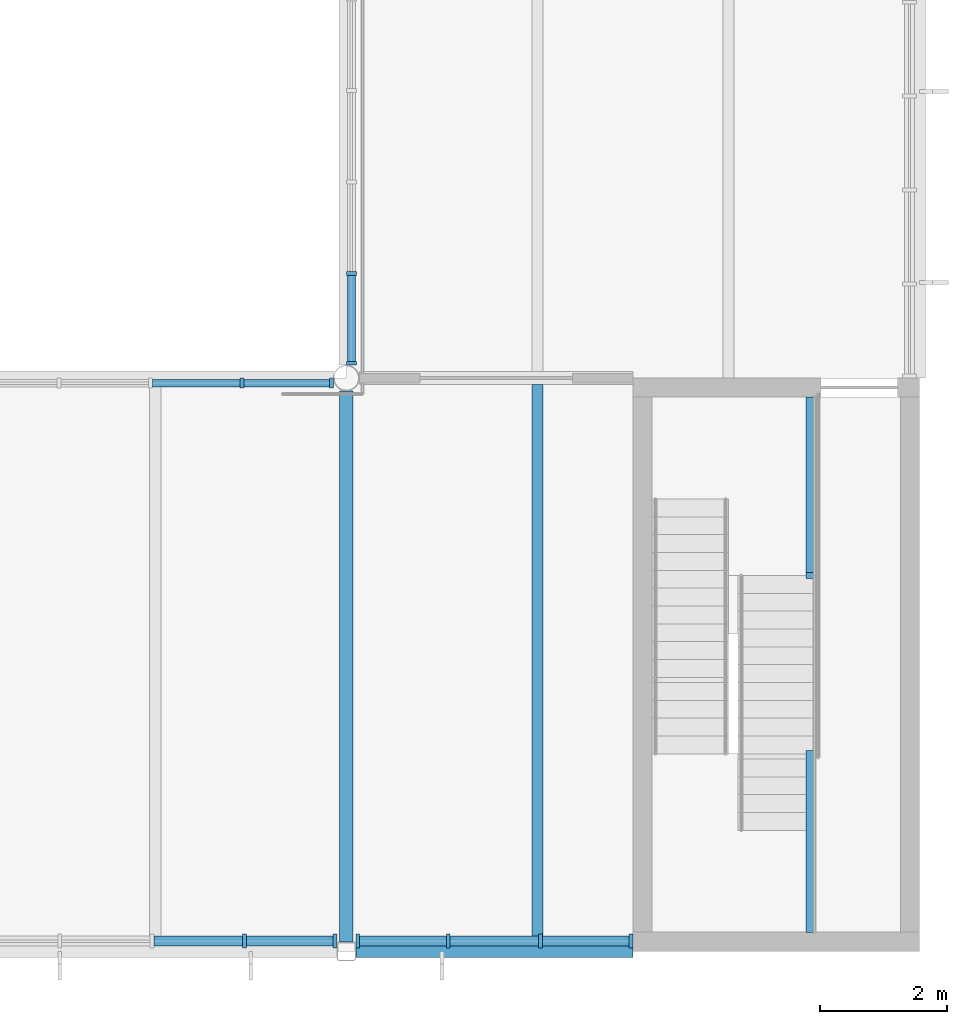
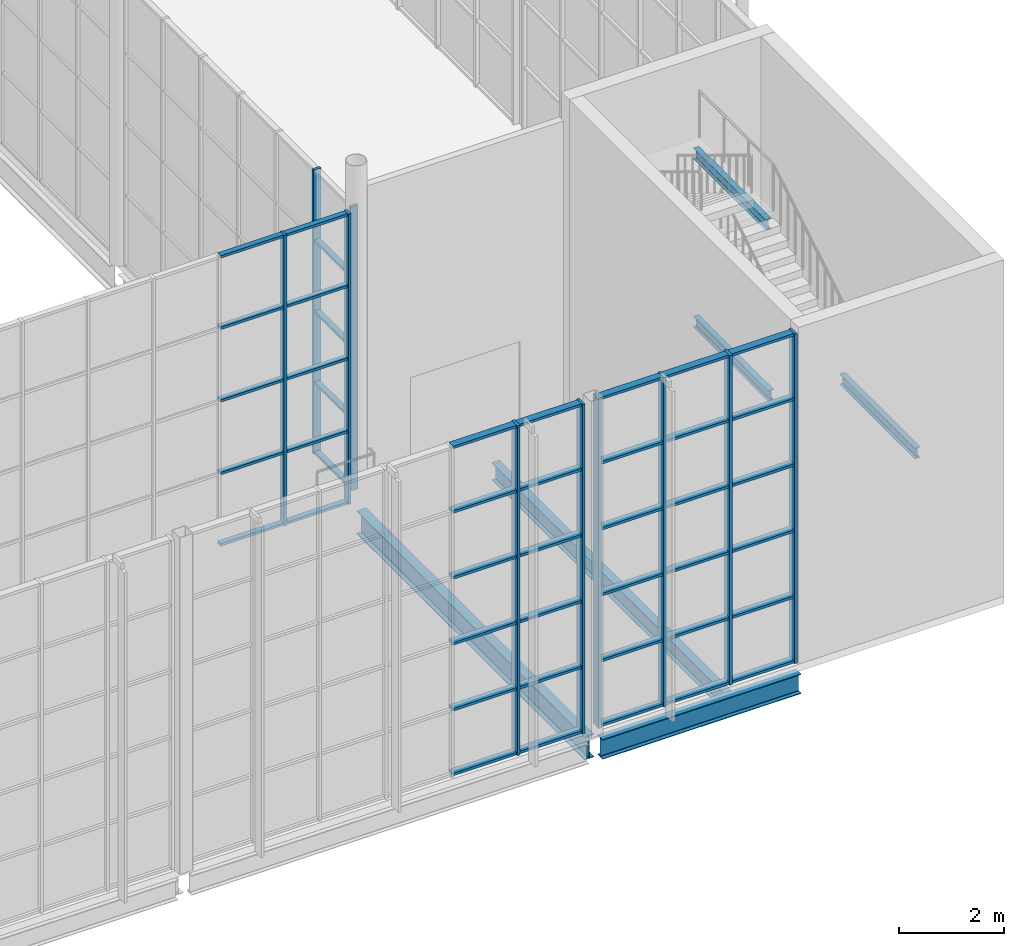
# One storey, part 55 of 90: 54 members, 6 beams, 4 elements without a shape of their own.
"""IFC4 building model written with IfcOpenShell, lengths in metres."""

from ifc_helpers import new_model, si_unit, direction, frame, origin, origin_2d, place, context, subcontext, project, spatial, rectangle, i_section, extrude, material, layer, layer_set, material_profile, profile_set, type_object, element, aggregate, save


model = new_model("IFC4")

# Units and contexts
model_context = context("Model", 3, precision=1e-05, world=origin(), true_north=direction((0.0, 1.0)))
body_context = subcontext(model_context, "Body", "Model", "MODEL_VIEW")
ifc_project = project(units=[si_unit("LENGTHUNIT", "METRE"), si_unit("AREAUNIT", "SQUARE_METRE"), si_unit("VOLUMEUNIT", "CUBIC_METRE"), si_unit("PLANEANGLEUNIT", "RADIAN"), si_unit("MASSUNIT", "GRAM", prefix="KILO")], contexts=[model_context])

# Site, building, storey
site_placement = place(None, origin())
site = spatial("IfcSite", under=ifc_project, at=site_placement, CompositionType="ELEMENT")
building_placement = place(site_placement, origin())
building = spatial("IfcBuilding", under=site, at=building_placement, Name="Halyard Row Museum", CompositionType="ELEMENT")
storey_placement = place(building_placement, frame((0.0, 0.0, 13.39990234375)))
storey = spatial("IfcBuildingStorey", under=building, at=storey_placement, Name="L03", CompositionType="ELEMENT", Elevation=13.39990234375)

# Curtain wall, members
ifc_material_1 = material(Name="Double glazed unit, low-emissivity", Category="glass")
ifc_layer_1 = layer(ifc_material_1, 0.219970703125)
ifc_layer_set_1 = layer_set([ifc_layer_1], Name="Double glazed unit, low-emissivity")
curtain_wall_type_1 = type_object("IfcCurtainWallType", Name="Curtain wall unitised 220 deep", PredefinedType="NOTDEFINED", material=ifc_layer_set_1)
curtain_wall_1_placement = place(storey_placement, origin())
curtain_wall_1 = element("IfcCurtainWall", 1, at=curtain_wall_1_placement, inside=storey, type_object=curtain_wall_type_1, Name="Curtain wall CW046", PredefinedType="NOTDEFINED")
ifc_material_2 = material(Name="Powder-coated aluminium section", Category="aluminium")
ifc_material_profile_1 = material_profile(ifc_material_2, rectangle(XDim=0.219970703125, YDim=0.06005859375, at=origin_2d()), Name="220x60 mullion")
ifc_profile_set_1 = profile_set([ifc_material_profile_1], Name="Powder-coated aluminium section")
member_type_1 = type_object("IfcMemberType", Name="Curtain wall mullion CM3 60 x 220", PredefinedType="MULLION", material=ifc_profile_set_1)
member_1_placement = place(storey_placement, frame((97.39990234375, 0.159912109375, 0.0), z_axis=(0.0, 0.0, 1.0), x_axis=(0.0, 1.0, 0.0)))
member_1 = element("IfcMember", 2, at=member_1_placement, type_object=member_type_1, Name="CW046 mullion 6", PredefinedType="MULLION", context=body_context, shape_type="SweptSolid", body=[
    extrude(rectangle(XDim=0.219970703125, YDim=0.06005859375, at=origin_2d()), origin(), (0.0, 0.0, 1.0), 7.635009765625),
])
member_2_placement = place(storey_placement, frame((98.820068359375, 0.159912109375, 0.0), z_axis=(0.0, 0.0, 1.0), x_axis=(0.0, 1.0, 0.0)))
member_2 = element("IfcMember", 3, at=member_2_placement, type_object=member_type_1, Name="CW046 mullion 7", PredefinedType="MULLION", context=body_context, shape_type="SweptSolid", body=[
    extrude(rectangle(XDim=0.219970703125, YDim=0.06005859375, at=origin_2d()), origin(), (0.0, 0.0, 1.0), 7.635009765625),
])

curtain_wall_2_placement = place(storey_placement, origin())
curtain_wall_2 = element("IfcCurtainWall", 4, at=curtain_wall_2_placement, inside=storey, type_object=curtain_wall_type_1, Name="Curtain wall CW047", PredefinedType="NOTDEFINED")
member_3_placement = place(storey_placement, frame((99.179931640625, 0.159912109375, 0.0), z_axis=(0.0, 0.0, 1.0), x_axis=(0.0, 1.0, 0.0)))
member_3 = element("IfcMember", 5, at=member_3_placement, type_object=member_type_1, Name="CW047 mullion 1", PredefinedType="MULLION", context=body_context, shape_type="SweptSolid", body=[
    extrude(rectangle(XDim=0.219970703125, YDim=0.06005859375, at=origin_2d()), origin(), (0.0, 0.0, 1.0), 7.635009765625),
])
member_4_placement = place(storey_placement, frame((100.60009765625, 0.159912109375, 0.0), z_axis=(0.0, 0.0, 1.0), x_axis=(0.0, 1.0, 0.0)))
member_4 = element("IfcMember", 6, at=member_4_placement, type_object=member_type_1, Name="CW047 mullion 2", PredefinedType="MULLION", context=body_context, shape_type="SweptSolid", body=[
    extrude(rectangle(XDim=0.219970703125, YDim=0.06005859375, at=origin_2d()), origin(), (0.0, 0.0, 1.0), 7.635009765625),
])
member_5_placement = place(storey_placement, frame((102.050048828125, 0.159912109375, 0.0), z_axis=(0.0, 0.0, 1.0), x_axis=(0.0, 1.0, 0.0)))
member_5 = element("IfcMember", 7, at=member_5_placement, type_object=member_type_1, Name="CW047 mullion 3", PredefinedType="MULLION", context=body_context, shape_type="SweptSolid", body=[
    extrude(rectangle(XDim=0.219970703125, YDim=0.06005859375, at=origin_2d()), origin(), (0.0, 0.0, 1.0), 7.635009765625),
])
member_6_placement = place(storey_placement, frame((103.469970703125, 0.159912109375, 0.0), z_axis=(0.0, 0.0, 1.0), x_axis=(0.0, 1.0, 0.0)))
member_6 = element("IfcMember", 8, at=member_6_placement, type_object=member_type_1, Name="CW047 mullion 4", PredefinedType="MULLION", context=body_context, shape_type="SweptSolid", body=[
    extrude(rectangle(XDim=0.219970703125, YDim=0.06005859375, at=origin_2d()), origin(), (0.0, 0.0, 1.0), 7.635009765625),
])

ifc_material_3 = material(Name="Fire-resisting laminated glazing", Category="glass")
ifc_layer_2 = layer(ifc_material_3, 0.159912109375)
ifc_layer_set_2 = layer_set([ifc_layer_2], Name="Fire-resisting laminated glazing")
curtain_wall_type_2 = type_object("IfcCurtainWallType", Name="Curtain wall atrium screen 160 deep", PredefinedType="NOTDEFINED", material=ifc_layer_set_2)
curtain_wall_3_placement = place(storey_placement, origin())
curtain_wall_3 = element("IfcCurtainWall", 9, at=curtain_wall_3_placement, inside=storey, type_object=curtain_wall_type_2, Name="Curtain wall CW095", PredefinedType="NOTDEFINED")
ifc_material_4 = material(Name="Powder-coated aluminium section", Category="aluminium")
ifc_material_profile_2 = material_profile(ifc_material_4, rectangle(XDim=0.159912109375, YDim=0.06005859375, at=origin_2d()), Name="160x60 mullion")
ifc_profile_set_2 = profile_set([ifc_material_profile_2], Name="Powder-coated aluminium section")
member_type_2 = type_object("IfcMemberType", Name="Curtain wall mullion CM5 60 x 160", PredefinedType="MULLION", material=ifc_profile_set_2)
member_7_placement = place(storey_placement, frame((97.3603515625, 8.919921875, 0.0), z_axis=(0.0, 0.0, 1.0), x_axis=(0.0, 1.0, 0.0)))
member_7 = element("IfcMember", 10, at=member_7_placement, type_object=member_type_2, Name="CW095 mullion 6", PredefinedType="MULLION", context=body_context, shape_type="SweptSolid", body=[
    extrude(rectangle(XDim=0.159912109375, YDim=0.06005859375, at=origin_2d()), origin(), (0.0, 0.0, 1.0), 6.732177734375),
])
member_8_placement = place(storey_placement, frame((98.766845703125, 8.919921875, 0.0), z_axis=(0.0, 0.0, 1.0), x_axis=(0.0, 1.0, 0.0)))
member_8 = element("IfcMember", 11, at=member_8_placement, type_object=member_type_2, Name="CW095 mullion 7", PredefinedType="MULLION", context=body_context, shape_type="SweptSolid", body=[
    extrude(rectangle(XDim=0.159912109375, YDim=0.06005859375, at=origin_2d()), origin(), (0.0, 0.0, 1.0), 6.732177734375),
])

curtain_wall_4_placement = place(storey_placement, origin())
curtain_wall_4 = element("IfcCurtainWall", 12, at=curtain_wall_4_placement, inside=storey, type_object=curtain_wall_type_2, Name="Curtain wall CW096", PredefinedType="NOTDEFINED")
member_9_placement = place(storey_placement, frame((99.080078125, 9.233154296875, 0.0), z_axis=(0.0, 0.0, 1.0), x_axis=(-1.0, 0.0, 0.0)))
member_9 = element("IfcMember", 13, at=member_9_placement, type_object=member_type_2, Name="CW096 mullion 1", PredefinedType="MULLION", context=body_context, shape_type="SweptSolid", body=[
    extrude(rectangle(XDim=0.159912109375, YDim=0.06005859375, at=origin_2d()), origin(), (0.0, 0.0, 1.0), 6.585205078125),
])
member_10_placement = place(storey_placement, frame((99.080078125, 10.6396484375, 0.0), z_axis=(0.0, 0.0, 1.0), x_axis=(-1.0, 0.0, 0.0)))
member_10 = element("IfcMember", 14, at=member_10_placement, type_object=member_type_2, Name="CW096 mullion 2", PredefinedType="MULLION", context=body_context, shape_type="SweptSolid", body=[
    extrude(rectangle(XDim=0.159912109375, YDim=0.06005859375, at=origin_2d()), origin(), (0.0, 0.0, 1.0), 6.585205078125),
])

# Member
ifc_material_5 = material(Name="Powder-coated aluminium section", Category="aluminium")
ifc_material_profile_3 = material_profile(ifc_material_5, rectangle(XDim=0.159912109375, YDim=0.06005859375, at=origin_2d()), Name="160x60 transom")
ifc_profile_set_3 = profile_set([ifc_material_profile_3], Name="Powder-coated aluminium section")
member_type_3 = type_object("IfcMemberType", Name="Curtain wall transom CT3 60 x 160", PredefinedType="USERDEFINED", material=ifc_profile_set_3)
member_11_placement = place(storey_placement, frame((95.97998046875, 0.159912109375, 0.030029296875), z_axis=(1.0, 0.0, 0.0), x_axis=(0.0, 1.0, 0.0)))
member_11 = element("IfcMember", 15, at=member_11_placement, type_object=member_type_3, Name="CW046 transom 5.1", ObjectType="TRANSOM", PredefinedType="USERDEFINED", context=body_context, shape_type="SweptSolid", body=[
    extrude(rectangle(XDim=0.159912109375, YDim=0.06005859375, at=origin_2d()), origin(), (0.0, 0.0, 1.0), 1.39013671875),
])

member_12_placement = place(storey_placement, frame((95.97998046875, 0.159912109375, 1.527099609375), z_axis=(1.0, 0.0, 0.0), x_axis=(0.0, 1.0, 0.0)))
member_12 = element("IfcMember", 16, at=member_12_placement, type_object=member_type_3, Name="CW046 transom 5.2", ObjectType="TRANSOM", PredefinedType="USERDEFINED", context=body_context, shape_type="SweptSolid", body=[
    extrude(rectangle(XDim=0.159912109375, YDim=0.06005859375, at=origin_2d()), origin(), (0.0, 0.0, 1.0), 1.39013671875),
])

member_13_placement = place(storey_placement, frame((95.97998046875, 0.159912109375, 3.05419921875), z_axis=(1.0, 0.0, 0.0), x_axis=(0.0, 1.0, 0.0)))
member_13 = element("IfcMember", 17, at=member_13_placement, type_object=member_type_3, Name="CW046 transom 5.3", ObjectType="TRANSOM", PredefinedType="USERDEFINED", context=body_context, shape_type="SweptSolid", body=[
    extrude(rectangle(XDim=0.159912109375, YDim=0.06005859375, at=origin_2d()), origin(), (0.0, 0.0, 1.0), 1.39013671875),
])

member_14_placement = place(storey_placement, frame((95.97998046875, 0.159912109375, 4.5810546875), z_axis=(1.0, 0.0, 0.0), x_axis=(0.0, 1.0, 0.0)))
member_14 = element("IfcMember", 18, at=member_14_placement, type_object=member_type_3, Name="CW046 transom 5.4", ObjectType="TRANSOM", PredefinedType="USERDEFINED", context=body_context, shape_type="SweptSolid", body=[
    extrude(rectangle(XDim=0.159912109375, YDim=0.06005859375, at=origin_2d()), origin(), (0.0, 0.0, 1.0), 1.39013671875),
])

member_15_placement = place(storey_placement, frame((95.97998046875, 0.159912109375, 6.108154296875), z_axis=(1.0, 0.0, 0.0), x_axis=(0.0, 1.0, 0.0)))
member_15 = element("IfcMember", 19, at=member_15_placement, type_object=member_type_3, Name="CW046 transom 5.5", ObjectType="TRANSOM", PredefinedType="USERDEFINED", context=body_context, shape_type="SweptSolid", body=[
    extrude(rectangle(XDim=0.159912109375, YDim=0.06005859375, at=origin_2d()), origin(), (0.0, 0.0, 1.0), 1.39013671875),
])

member_16_placement = place(storey_placement, frame((95.97998046875, 0.159912109375, 7.60498046875), z_axis=(1.0, 0.0, 0.0), x_axis=(0.0, 1.0, 0.0)))
member_16 = element("IfcMember", 20, at=member_16_placement, type_object=member_type_3, Name="CW046 transom 5.6", ObjectType="TRANSOM", PredefinedType="USERDEFINED", context=body_context, shape_type="SweptSolid", body=[
    extrude(rectangle(XDim=0.159912109375, YDim=0.06005859375, at=origin_2d()), origin(), (0.0, 0.0, 1.0), 1.39013671875),
])

member_17_placement = place(storey_placement, frame((97.429931640625, 0.159912109375, 0.030029296875), z_axis=(1.0, 0.0, 0.0), x_axis=(0.0, 1.0, 0.0)))
member_17 = element("IfcMember", 21, at=member_17_placement, type_object=member_type_3, Name="CW046 transom 6.1", ObjectType="TRANSOM", PredefinedType="USERDEFINED", context=body_context, shape_type="SweptSolid", body=[
    extrude(rectangle(XDim=0.159912109375, YDim=0.06005859375, at=origin_2d()), origin(), (0.0, 0.0, 1.0), 1.360107421875),
])

member_18_placement = place(storey_placement, frame((97.429931640625, 0.159912109375, 1.527099609375), z_axis=(1.0, 0.0, 0.0), x_axis=(0.0, 1.0, 0.0)))
member_18 = element("IfcMember", 22, at=member_18_placement, type_object=member_type_3, Name="CW046 transom 6.2", ObjectType="TRANSOM", PredefinedType="USERDEFINED", context=body_context, shape_type="SweptSolid", body=[
    extrude(rectangle(XDim=0.159912109375, YDim=0.06005859375, at=origin_2d()), origin(), (0.0, 0.0, 1.0), 1.360107421875),
])

member_19_placement = place(storey_placement, frame((97.429931640625, 0.159912109375, 3.05419921875), z_axis=(1.0, 0.0, 0.0), x_axis=(0.0, 1.0, 0.0)))
member_19 = element("IfcMember", 23, at=member_19_placement, type_object=member_type_3, Name="CW046 transom 6.3", ObjectType="TRANSOM", PredefinedType="USERDEFINED", context=body_context, shape_type="SweptSolid", body=[
    extrude(rectangle(XDim=0.159912109375, YDim=0.06005859375, at=origin_2d()), origin(), (0.0, 0.0, 1.0), 1.360107421875),
])

member_20_placement = place(storey_placement, frame((97.429931640625, 0.159912109375, 4.5810546875), z_axis=(1.0, 0.0, 0.0), x_axis=(0.0, 1.0, 0.0)))
member_20 = element("IfcMember", 24, at=member_20_placement, type_object=member_type_3, Name="CW046 transom 6.4", ObjectType="TRANSOM", PredefinedType="USERDEFINED", context=body_context, shape_type="SweptSolid", body=[
    extrude(rectangle(XDim=0.159912109375, YDim=0.06005859375, at=origin_2d()), origin(), (0.0, 0.0, 1.0), 1.360107421875),
])

member_21_placement = place(storey_placement, frame((97.429931640625, 0.159912109375, 6.108154296875), z_axis=(1.0, 0.0, 0.0), x_axis=(0.0, 1.0, 0.0)))
member_21 = element("IfcMember", 25, at=member_21_placement, type_object=member_type_3, Name="CW046 transom 6.5", ObjectType="TRANSOM", PredefinedType="USERDEFINED", context=body_context, shape_type="SweptSolid", body=[
    extrude(rectangle(XDim=0.159912109375, YDim=0.06005859375, at=origin_2d()), origin(), (0.0, 0.0, 1.0), 1.360107421875),
])

member_22_placement = place(storey_placement, frame((97.429931640625, 0.159912109375, 7.60498046875), z_axis=(1.0, 0.0, 0.0), x_axis=(0.0, 1.0, 0.0)))
member_22 = element("IfcMember", 26, at=member_22_placement, type_object=member_type_3, Name="CW046 transom 6.6", ObjectType="TRANSOM", PredefinedType="USERDEFINED", context=body_context, shape_type="SweptSolid", body=[
    extrude(rectangle(XDim=0.159912109375, YDim=0.06005859375, at=origin_2d()), origin(), (0.0, 0.0, 1.0), 1.360107421875),
])

aggregate(curtain_wall_1, [member_1, member_2, member_11, member_12, member_13, member_14, member_15, member_16, member_17, member_18, member_19, member_20, member_21, member_22])

member_23_placement = place(storey_placement, frame((99.2099609375, 0.159912109375, 0.030029296875), z_axis=(1.0, 0.0, 0.0), x_axis=(0.0, 1.0, 0.0)))
member_23 = element("IfcMember", 27, at=member_23_placement, type_object=member_type_3, Name="CW047 transom 1.1", ObjectType="TRANSOM", PredefinedType="USERDEFINED", context=body_context, shape_type="SweptSolid", body=[
    extrude(rectangle(XDim=0.159912109375, YDim=0.06005859375, at=origin_2d()), origin(), (0.0, 0.0, 1.0), 1.360107421875),
])

member_24_placement = place(storey_placement, frame((99.2099609375, 0.159912109375, 1.527099609375), z_axis=(1.0, 0.0, 0.0), x_axis=(0.0, 1.0, 0.0)))
member_24 = element("IfcMember", 28, at=member_24_placement, type_object=member_type_3, Name="CW047 transom 1.2", ObjectType="TRANSOM", PredefinedType="USERDEFINED", context=body_context, shape_type="SweptSolid", body=[
    extrude(rectangle(XDim=0.159912109375, YDim=0.06005859375, at=origin_2d()), origin(), (0.0, 0.0, 1.0), 1.360107421875),
])

member_25_placement = place(storey_placement, frame((99.2099609375, 0.159912109375, 3.05419921875), z_axis=(1.0, 0.0, 0.0), x_axis=(0.0, 1.0, 0.0)))
member_25 = element("IfcMember", 29, at=member_25_placement, type_object=member_type_3, Name="CW047 transom 1.3", ObjectType="TRANSOM", PredefinedType="USERDEFINED", context=body_context, shape_type="SweptSolid", body=[
    extrude(rectangle(XDim=0.159912109375, YDim=0.06005859375, at=origin_2d()), origin(), (0.0, 0.0, 1.0), 1.360107421875),
])

member_26_placement = place(storey_placement, frame((99.2099609375, 0.159912109375, 4.5810546875), z_axis=(1.0, 0.0, 0.0), x_axis=(0.0, 1.0, 0.0)))
member_26 = element("IfcMember", 30, at=member_26_placement, type_object=member_type_3, Name="CW047 transom 1.4", ObjectType="TRANSOM", PredefinedType="USERDEFINED", context=body_context, shape_type="SweptSolid", body=[
    extrude(rectangle(XDim=0.159912109375, YDim=0.06005859375, at=origin_2d()), origin(), (0.0, 0.0, 1.0), 1.360107421875),
])

member_27_placement = place(storey_placement, frame((99.2099609375, 0.159912109375, 6.108154296875), z_axis=(1.0, 0.0, 0.0), x_axis=(0.0, 1.0, 0.0)))
member_27 = element("IfcMember", 31, at=member_27_placement, type_object=member_type_3, Name="CW047 transom 1.5", ObjectType="TRANSOM", PredefinedType="USERDEFINED", context=body_context, shape_type="SweptSolid", body=[
    extrude(rectangle(XDim=0.159912109375, YDim=0.06005859375, at=origin_2d()), origin(), (0.0, 0.0, 1.0), 1.360107421875),
])

member_28_placement = place(storey_placement, frame((99.2099609375, 0.159912109375, 7.60498046875), z_axis=(1.0, 0.0, 0.0), x_axis=(0.0, 1.0, 0.0)))
member_28 = element("IfcMember", 32, at=member_28_placement, type_object=member_type_3, Name="CW047 transom 1.6", ObjectType="TRANSOM", PredefinedType="USERDEFINED", context=body_context, shape_type="SweptSolid", body=[
    extrude(rectangle(XDim=0.159912109375, YDim=0.06005859375, at=origin_2d()), origin(), (0.0, 0.0, 1.0), 1.360107421875),
])

member_29_placement = place(storey_placement, frame((100.6298828125, 0.159912109375, 0.030029296875), z_axis=(1.0, 0.0, 0.0), x_axis=(0.0, 1.0, 0.0)))
member_29 = element("IfcMember", 33, at=member_29_placement, type_object=member_type_3, Name="CW047 transom 2.1", ObjectType="TRANSOM", PredefinedType="USERDEFINED", context=body_context, shape_type="SweptSolid", body=[
    extrude(rectangle(XDim=0.159912109375, YDim=0.06005859375, at=origin_2d()), origin(), (0.0, 0.0, 1.0), 1.39013671875),
])

member_30_placement = place(storey_placement, frame((100.6298828125, 0.159912109375, 1.527099609375), z_axis=(1.0, 0.0, 0.0), x_axis=(0.0, 1.0, 0.0)))
member_30 = element("IfcMember", 34, at=member_30_placement, type_object=member_type_3, Name="CW047 transom 2.2", ObjectType="TRANSOM", PredefinedType="USERDEFINED", context=body_context, shape_type="SweptSolid", body=[
    extrude(rectangle(XDim=0.159912109375, YDim=0.06005859375, at=origin_2d()), origin(), (0.0, 0.0, 1.0), 1.39013671875),
])

member_31_placement = place(storey_placement, frame((100.6298828125, 0.159912109375, 3.05419921875), z_axis=(1.0, 0.0, 0.0), x_axis=(0.0, 1.0, 0.0)))
member_31 = element("IfcMember", 35, at=member_31_placement, type_object=member_type_3, Name="CW047 transom 2.3", ObjectType="TRANSOM", PredefinedType="USERDEFINED", context=body_context, shape_type="SweptSolid", body=[
    extrude(rectangle(XDim=0.159912109375, YDim=0.06005859375, at=origin_2d()), origin(), (0.0, 0.0, 1.0), 1.39013671875),
])

member_32_placement = place(storey_placement, frame((100.6298828125, 0.159912109375, 4.5810546875), z_axis=(1.0, 0.0, 0.0), x_axis=(0.0, 1.0, 0.0)))
member_32 = element("IfcMember", 36, at=member_32_placement, type_object=member_type_3, Name="CW047 transom 2.4", ObjectType="TRANSOM", PredefinedType="USERDEFINED", context=body_context, shape_type="SweptSolid", body=[
    extrude(rectangle(XDim=0.159912109375, YDim=0.06005859375, at=origin_2d()), origin(), (0.0, 0.0, 1.0), 1.39013671875),
])

member_33_placement = place(storey_placement, frame((100.6298828125, 0.159912109375, 6.108154296875), z_axis=(1.0, 0.0, 0.0), x_axis=(0.0, 1.0, 0.0)))
member_33 = element("IfcMember", 37, at=member_33_placement, type_object=member_type_3, Name="CW047 transom 2.5", ObjectType="TRANSOM", PredefinedType="USERDEFINED", context=body_context, shape_type="SweptSolid", body=[
    extrude(rectangle(XDim=0.159912109375, YDim=0.06005859375, at=origin_2d()), origin(), (0.0, 0.0, 1.0), 1.39013671875),
])

member_34_placement = place(storey_placement, frame((100.6298828125, 0.159912109375, 7.60498046875), z_axis=(1.0, 0.0, 0.0), x_axis=(0.0, 1.0, 0.0)))
member_34 = element("IfcMember", 38, at=member_34_placement, type_object=member_type_3, Name="CW047 transom 2.6", ObjectType="TRANSOM", PredefinedType="USERDEFINED", context=body_context, shape_type="SweptSolid", body=[
    extrude(rectangle(XDim=0.159912109375, YDim=0.06005859375, at=origin_2d()), origin(), (0.0, 0.0, 1.0), 1.39013671875),
])

member_35_placement = place(storey_placement, frame((102.080078125, 0.159912109375, 0.030029296875), z_axis=(1.0, 0.0, 0.0), x_axis=(0.0, 1.0, 0.0)))
member_35 = element("IfcMember", 39, at=member_35_placement, type_object=member_type_3, Name="CW047 transom 3.1", ObjectType="TRANSOM", PredefinedType="USERDEFINED", context=body_context, shape_type="SweptSolid", body=[
    extrude(rectangle(XDim=0.159912109375, YDim=0.06005859375, at=origin_2d()), origin(), (0.0, 0.0, 1.0), 1.35986328125),
])

member_36_placement = place(storey_placement, frame((102.080078125, 0.159912109375, 1.527099609375), z_axis=(1.0, 0.0, 0.0), x_axis=(0.0, 1.0, 0.0)))
member_36 = element("IfcMember", 40, at=member_36_placement, type_object=member_type_3, Name="CW047 transom 3.2", ObjectType="TRANSOM", PredefinedType="USERDEFINED", context=body_context, shape_type="SweptSolid", body=[
    extrude(rectangle(XDim=0.159912109375, YDim=0.06005859375, at=origin_2d()), origin(), (0.0, 0.0, 1.0), 1.35986328125),
])

member_37_placement = place(storey_placement, frame((102.080078125, 0.159912109375, 3.05419921875), z_axis=(1.0, 0.0, 0.0), x_axis=(0.0, 1.0, 0.0)))
member_37 = element("IfcMember", 41, at=member_37_placement, type_object=member_type_3, Name="CW047 transom 3.3", ObjectType="TRANSOM", PredefinedType="USERDEFINED", context=body_context, shape_type="SweptSolid", body=[
    extrude(rectangle(XDim=0.159912109375, YDim=0.06005859375, at=origin_2d()), origin(), (0.0, 0.0, 1.0), 1.35986328125),
])

member_38_placement = place(storey_placement, frame((102.080078125, 0.159912109375, 4.5810546875), z_axis=(1.0, 0.0, 0.0), x_axis=(0.0, 1.0, 0.0)))
member_38 = element("IfcMember", 42, at=member_38_placement, type_object=member_type_3, Name="CW047 transom 3.4", ObjectType="TRANSOM", PredefinedType="USERDEFINED", context=body_context, shape_type="SweptSolid", body=[
    extrude(rectangle(XDim=0.159912109375, YDim=0.06005859375, at=origin_2d()), origin(), (0.0, 0.0, 1.0), 1.35986328125),
])

member_39_placement = place(storey_placement, frame((102.080078125, 0.159912109375, 6.108154296875), z_axis=(1.0, 0.0, 0.0), x_axis=(0.0, 1.0, 0.0)))
member_39 = element("IfcMember", 43, at=member_39_placement, type_object=member_type_3, Name="CW047 transom 3.5", ObjectType="TRANSOM", PredefinedType="USERDEFINED", context=body_context, shape_type="SweptSolid", body=[
    extrude(rectangle(XDim=0.159912109375, YDim=0.06005859375, at=origin_2d()), origin(), (0.0, 0.0, 1.0), 1.35986328125),
])

member_40_placement = place(storey_placement, frame((102.080078125, 0.159912109375, 7.60498046875), z_axis=(1.0, 0.0, 0.0), x_axis=(0.0, 1.0, 0.0)))
member_40 = element("IfcMember", 44, at=member_40_placement, type_object=member_type_3, Name="CW047 transom 3.6", ObjectType="TRANSOM", PredefinedType="USERDEFINED", context=body_context, shape_type="SweptSolid", body=[
    extrude(rectangle(XDim=0.159912109375, YDim=0.06005859375, at=origin_2d()), origin(), (0.0, 0.0, 1.0), 1.35986328125),
])

aggregate(curtain_wall_2, [member_3, member_4, member_5, member_6, member_23, member_24, member_25, member_26, member_27, member_28, member_29, member_30, member_31, member_32, member_33, member_34, member_35, member_36, member_37, member_38, member_39, member_40])

ifc_material_6 = material(Name="Powder-coated aluminium section", Category="aluminium")
ifc_material_profile_4 = material_profile(ifc_material_6, rectangle(XDim=0.1201171875, YDim=0.06005859375, at=origin_2d()), Name="120x60 transom")
ifc_profile_set_4 = profile_set([ifc_material_profile_4], Name="Powder-coated aluminium section")
member_type_4 = type_object("IfcMemberType", Name="Curtain wall transom CT5 60 x 120", PredefinedType="USERDEFINED", material=ifc_profile_set_4)
member_41_placement = place(storey_placement, frame((95.953857421875, 8.919921875, 0.030029296875), z_axis=(1.0, 0.0, 0.0), x_axis=(0.0, 1.0, 0.0)))
member_41 = element("IfcMember", 45, at=member_41_placement, type_object=member_type_4, Name="CW095 transom 5.1", ObjectType="TRANSOM", PredefinedType="USERDEFINED", context=body_context, shape_type="SweptSolid", body=[
    extrude(rectangle(XDim=0.1201171875, YDim=0.06005859375, at=origin_2d()), origin(), (0.0, 0.0, 1.0), 1.37646484375),
])

member_42_placement = place(storey_placement, frame((95.953857421875, 8.919921875, 1.68310546875), z_axis=(1.0, 0.0, 0.0), x_axis=(0.0, 1.0, 0.0)))
member_42 = element("IfcMember", 46, at=member_42_placement, type_object=member_type_4, Name="CW095 transom 5.2", ObjectType="TRANSOM", PredefinedType="USERDEFINED", context=body_context, shape_type="SweptSolid", body=[
    extrude(rectangle(XDim=0.1201171875, YDim=0.06005859375, at=origin_2d()), origin(), (0.0, 0.0, 1.0), 1.37646484375),
])

member_43_placement = place(storey_placement, frame((95.953857421875, 8.919921875, 3.3662109375), z_axis=(1.0, 0.0, 0.0), x_axis=(0.0, 1.0, 0.0)))
member_43 = element("IfcMember", 47, at=member_43_placement, type_object=member_type_4, Name="CW095 transom 5.3", ObjectType="TRANSOM", PredefinedType="USERDEFINED", context=body_context, shape_type="SweptSolid", body=[
    extrude(rectangle(XDim=0.1201171875, YDim=0.06005859375, at=origin_2d()), origin(), (0.0, 0.0, 1.0), 1.37646484375),
])

member_44_placement = place(storey_placement, frame((95.953857421875, 8.919921875, 5.049072265625), z_axis=(1.0, 0.0, 0.0), x_axis=(0.0, 1.0, 0.0)))
member_44 = element("IfcMember", 48, at=member_44_placement, type_object=member_type_4, Name="CW095 transom 5.4", ObjectType="TRANSOM", PredefinedType="USERDEFINED", context=body_context, shape_type="SweptSolid", body=[
    extrude(rectangle(XDim=0.1201171875, YDim=0.06005859375, at=origin_2d()), origin(), (0.0, 0.0, 1.0), 1.37646484375),
])

member_45_placement = place(storey_placement, frame((95.953857421875, 8.919921875, 6.7021484375), z_axis=(1.0, 0.0, 0.0), x_axis=(0.0, 1.0, 0.0)))
member_45 = element("IfcMember", 49, at=member_45_placement, type_object=member_type_4, Name="CW095 transom 5.5", ObjectType="TRANSOM", PredefinedType="USERDEFINED", context=body_context, shape_type="SweptSolid", body=[
    extrude(rectangle(XDim=0.1201171875, YDim=0.06005859375, at=origin_2d()), origin(), (0.0, 0.0, 1.0), 1.37646484375),
])

member_46_placement = place(storey_placement, frame((97.390380859375, 8.919921875, 0.030029296875), z_axis=(1.0, 0.0, 0.0), x_axis=(0.0, 1.0, 0.0)))
member_46 = element("IfcMember", 50, at=member_46_placement, type_object=member_type_4, Name="CW095 transom 6.1", ObjectType="TRANSOM", PredefinedType="USERDEFINED", context=body_context, shape_type="SweptSolid", body=[
    extrude(rectangle(XDim=0.1201171875, YDim=0.06005859375, at=origin_2d()), origin(), (0.0, 0.0, 1.0), 1.346435546875),
])

member_47_placement = place(storey_placement, frame((97.390380859375, 8.919921875, 1.68310546875), z_axis=(1.0, 0.0, 0.0), x_axis=(0.0, 1.0, 0.0)))
member_47 = element("IfcMember", 51, at=member_47_placement, type_object=member_type_4, Name="CW095 transom 6.2", ObjectType="TRANSOM", PredefinedType="USERDEFINED", context=body_context, shape_type="SweptSolid", body=[
    extrude(rectangle(XDim=0.1201171875, YDim=0.06005859375, at=origin_2d()), origin(), (0.0, 0.0, 1.0), 1.346435546875),
])

member_48_placement = place(storey_placement, frame((97.390380859375, 8.919921875, 3.3662109375), z_axis=(1.0, 0.0, 0.0), x_axis=(0.0, 1.0, 0.0)))
member_48 = element("IfcMember", 52, at=member_48_placement, type_object=member_type_4, Name="CW095 transom 6.3", ObjectType="TRANSOM", PredefinedType="USERDEFINED", context=body_context, shape_type="SweptSolid", body=[
    extrude(rectangle(XDim=0.1201171875, YDim=0.06005859375, at=origin_2d()), origin(), (0.0, 0.0, 1.0), 1.346435546875),
])

member_49_placement = place(storey_placement, frame((97.390380859375, 8.919921875, 5.049072265625), z_axis=(1.0, 0.0, 0.0), x_axis=(0.0, 1.0, 0.0)))
member_49 = element("IfcMember", 53, at=member_49_placement, type_object=member_type_4, Name="CW095 transom 6.4", ObjectType="TRANSOM", PredefinedType="USERDEFINED", context=body_context, shape_type="SweptSolid", body=[
    extrude(rectangle(XDim=0.1201171875, YDim=0.06005859375, at=origin_2d()), origin(), (0.0, 0.0, 1.0), 1.346435546875),
])

member_50_placement = place(storey_placement, frame((97.390380859375, 8.919921875, 6.7021484375), z_axis=(1.0, 0.0, 0.0), x_axis=(0.0, 1.0, 0.0)))
member_50 = element("IfcMember", 54, at=member_50_placement, type_object=member_type_4, Name="CW095 transom 6.5", ObjectType="TRANSOM", PredefinedType="USERDEFINED", context=body_context, shape_type="SweptSolid", body=[
    extrude(rectangle(XDim=0.1201171875, YDim=0.06005859375, at=origin_2d()), origin(), (0.0, 0.0, 1.0), 1.346435546875),
])

aggregate(curtain_wall_3, [member_7, member_8, member_41, member_42, member_43, member_44, member_45, member_46, member_47, member_48, member_49, member_50])

member_51_placement = place(storey_placement, frame((99.080078125, 9.26318359375, 0.030029296875), z_axis=(0.0, 1.0, 0.0), x_axis=(-1.0, 0.0, 0.0)))
member_51 = element("IfcMember", 55, at=member_51_placement, type_object=member_type_4, Name="CW096 transom 1.1", ObjectType="TRANSOM", PredefinedType="USERDEFINED", context=body_context, shape_type="SweptSolid", body=[
    extrude(rectangle(XDim=0.1201171875, YDim=0.06005859375, at=origin_2d()), origin(), (0.0, 0.0, 1.0), 1.346435546875),
])

member_52_placement = place(storey_placement, frame((99.080078125, 9.26318359375, 1.646240234375), z_axis=(0.0, 1.0, 0.0), x_axis=(-1.0, 0.0, 0.0)))
member_52 = element("IfcMember", 56, at=member_52_placement, type_object=member_type_4, Name="CW096 transom 1.2", ObjectType="TRANSOM", PredefinedType="USERDEFINED", context=body_context, shape_type="SweptSolid", body=[
    extrude(rectangle(XDim=0.1201171875, YDim=0.06005859375, at=origin_2d()), origin(), (0.0, 0.0, 1.0), 1.346435546875),
])

member_53_placement = place(storey_placement, frame((99.080078125, 9.26318359375, 3.29248046875), z_axis=(0.0, 1.0, 0.0), x_axis=(-1.0, 0.0, 0.0)))
member_53 = element("IfcMember", 57, at=member_53_placement, type_object=member_type_4, Name="CW096 transom 1.3", ObjectType="TRANSOM", PredefinedType="USERDEFINED", context=body_context, shape_type="SweptSolid", body=[
    extrude(rectangle(XDim=0.1201171875, YDim=0.06005859375, at=origin_2d()), origin(), (0.0, 0.0, 1.0), 1.346435546875),
])

member_54_placement = place(storey_placement, frame((99.080078125, 9.26318359375, 4.93896484375), z_axis=(0.0, 1.0, 0.0), x_axis=(-1.0, 0.0, 0.0)))
member_54 = element("IfcMember", 58, at=member_54_placement, type_object=member_type_4, Name="CW096 transom 1.4", ObjectType="TRANSOM", PredefinedType="USERDEFINED", context=body_context, shape_type="SweptSolid", body=[
    extrude(rectangle(XDim=0.1201171875, YDim=0.06005859375, at=origin_2d()), origin(), (0.0, 0.0, 1.0), 1.346435546875),
])

aggregate(curtain_wall_4, [member_9, member_10, member_51, member_52, member_53, member_54])

# Beams
ifc_material_7 = material(Name="Steel Grade 300", Category="steel")
ifc_material_profile_5 = material_profile(ifc_material_7, i_section(OverallWidth=0.18994140625, OverallDepth=0.45751953125, WebThickness=0.009033203125, FlangeThickness=0.014404296875, FilletRadius=0.011474609375, at=origin_2d()), Name="460UB74.6")
ifc_profile_set_5 = profile_set([ifc_material_profile_5], Name="Steel Grade 300")
beam_type_1 = type_object("IfcBeamType", Name="Edge beam 460UB74.6", PredefinedType="BEAM", material=ifc_profile_set_5)
beam_1_placement = place(storey_placement, frame((99.14990234375, 0.0, -0.3935546875), z_axis=(1.0, 0.0, 0.0), x_axis=(0.0, 1.0, 0.0)))
element("IfcBeam", 59, at=beam_1_placement, inside=storey, type_object=beam_type_1, Name="Beam L03-005", PredefinedType="BEAM", context=body_context, shape_type="SweptSolid", body=[
    extrude(i_section(OverallWidth=0.18994140625, OverallDepth=0.45751953125, WebThickness=0.009033203125, FlangeThickness=0.014404296875, FilletRadius=0.011474609375, at=origin_2d()), origin(), (0.0, 0.0, 1.0), 4.35009765625),
])
ifc_material_8 = material(Name="Steel Grade 300", Category="steel")
ifc_material_profile_6 = material_profile(ifc_material_8, i_section(OverallWidth=0.208984375, OverallDepth=0.532958984375, WebThickness=0.01025390625, FlangeThickness=0.015625, FilletRadius=0.013916015625, at=origin_2d()), Name="530UB92.4")
ifc_profile_set_6 = profile_set([ifc_material_profile_6], Name="Steel Grade 300")
beam_type_2 = type_object("IfcBeamType", Name="Girder beam 530UB92.4", PredefinedType="BEAM", material=ifc_profile_set_6)
beam_2_placement = place(storey_placement, frame((99.0, 0.14990234375, -0.431396484375), z_axis=(0.0, 1.0, 0.0), x_axis=(-1.0, 0.0, 0.0)))
element("IfcBeam", 60, at=beam_2_placement, inside=storey, type_object=beam_type_2, Name="Beam L03-065", PredefinedType="BEAM", context=body_context, shape_type="SweptSolid", body=[
    extrude(i_section(OverallWidth=0.208984375, OverallDepth=0.532958984375, WebThickness=0.01025390625, FlangeThickness=0.015625, FilletRadius=0.013916015625, at=origin_2d()), origin(), (0.0, 0.0, 1.0), 8.64697265625),
])
ifc_material_9 = material(Name="Steel Grade 300", Category="steel")
ifc_material_profile_7 = material_profile(ifc_material_9, i_section(OverallWidth=0.1240234375, OverallDepth=0.248046875, WebThickness=0.0048828125, FlangeThickness=0.008056640625, FilletRadius=0.011962890625, at=origin_2d()), Name="250UB25.7")
ifc_profile_set_7 = profile_set([ifc_material_profile_7], Name="Steel Grade 300")
beam_type_3 = type_object("IfcBeamType", Name="Landing trimmer 250UB25.7", PredefinedType="BEAM", material=ifc_profile_set_7)
for number, where, z_axis, x_axis, name in (
    (61, (106.278076171875, 8.702880859375, 1.7109375), (0.0, -1.0, 0.0), (1.0, 0.0, 0.0), "Landing ledger K2B L03 1"),
    (62, (106.278076171875, 0.297119140625, 3.74560546875), (0.0, 1.0, 0.0), (-1.0, 0.0, 0.0), "Landing ledger K2B L03 2"),
):
    element("IfcBeam", number, at=place(storey_placement, frame(where, z_axis=z_axis, x_axis=x_axis)), inside=storey, type_object=beam_type_3, Name=name, PredefinedType="BEAM", context=body_context, shape_type="SweptSolid", body=[
        extrude(i_section(OverallWidth=0.1240234375, OverallDepth=0.248046875, WebThickness=0.0048828125, FlangeThickness=0.008056640625, FilletRadius=0.011962890625, at=origin_2d()), origin(), (0.0, 0.0, 1.0), 2.852783203125),
    ])
beam_3_placement = place(storey_placement, frame((106.278076171875, 8.702880859375, 5.61083984375), z_axis=(0.0, -1.0, 0.0), x_axis=(1.0, 0.0, 0.0)))
element("IfcBeam", 63, at=beam_3_placement, inside=storey, type_object=beam_type_3, Name="Landing ledger K2B L03 3", PredefinedType="BEAM", context=body_context, shape_type="SweptSolid", body=[
    extrude(i_section(OverallWidth=0.1240234375, OverallDepth=0.248046875, WebThickness=0.0048828125, FlangeThickness=0.008056640625, FilletRadius=0.011962890625, at=origin_2d()), origin(), (0.0, 0.0, 1.0), 2.7529296875),
])
ifc_material_10 = material(Name="Steel Grade 300", Category="steel")
ifc_material_profile_8 = material_profile(ifc_material_10, i_section(OverallWidth=0.177978515625, OverallDepth=0.406494140625, WebThickness=0.0078125, FlangeThickness=0.0126953125, FilletRadius=0.011474609375, at=origin_2d()), Name="410UB59.7")
ifc_profile_set_8 = profile_set([ifc_material_profile_8], Name="Steel Grade 300")
beam_type_4 = type_object("IfcBeamType", Name="Secondary beam 410UB59.7", PredefinedType="BEAM", material=ifc_profile_set_8)
beam_4_placement = place(storey_placement, frame((102.0, 0.094970703125, -0.3681640625), z_axis=(0.0, 1.0, 0.0), x_axis=(-1.0, 0.0, 0.0)))
element("IfcBeam", 64, at=beam_4_placement, inside=storey, type_object=beam_type_4, Name="Beam L03-080", PredefinedType="BEAM", context=body_context, shape_type="SweptSolid", body=[
    extrude(i_section(OverallWidth=0.177978515625, OverallDepth=0.406494140625, WebThickness=0.0078125, FlangeThickness=0.0126953125, FilletRadius=0.011474609375, at=origin_2d()), origin(), (0.0, 0.0, 1.0), 8.800537109375),
])

save(model, "model.ifc")
